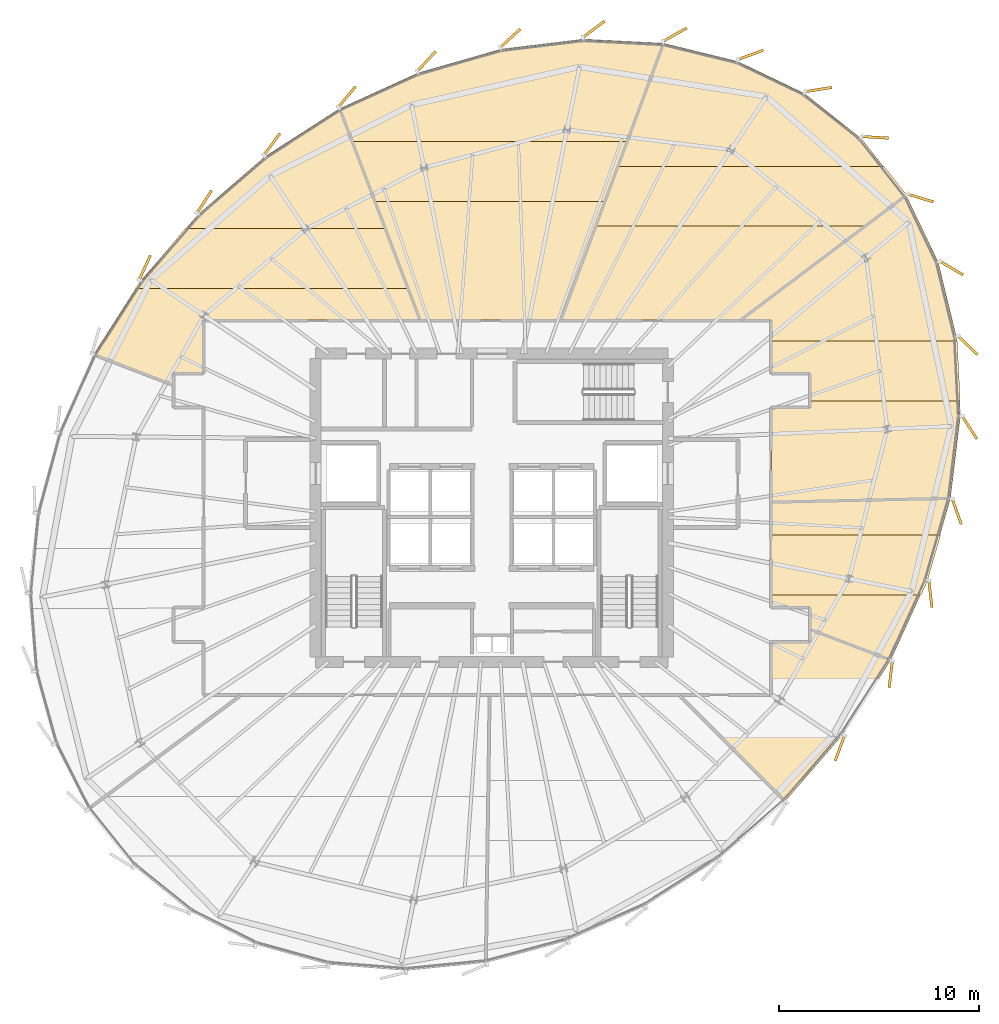
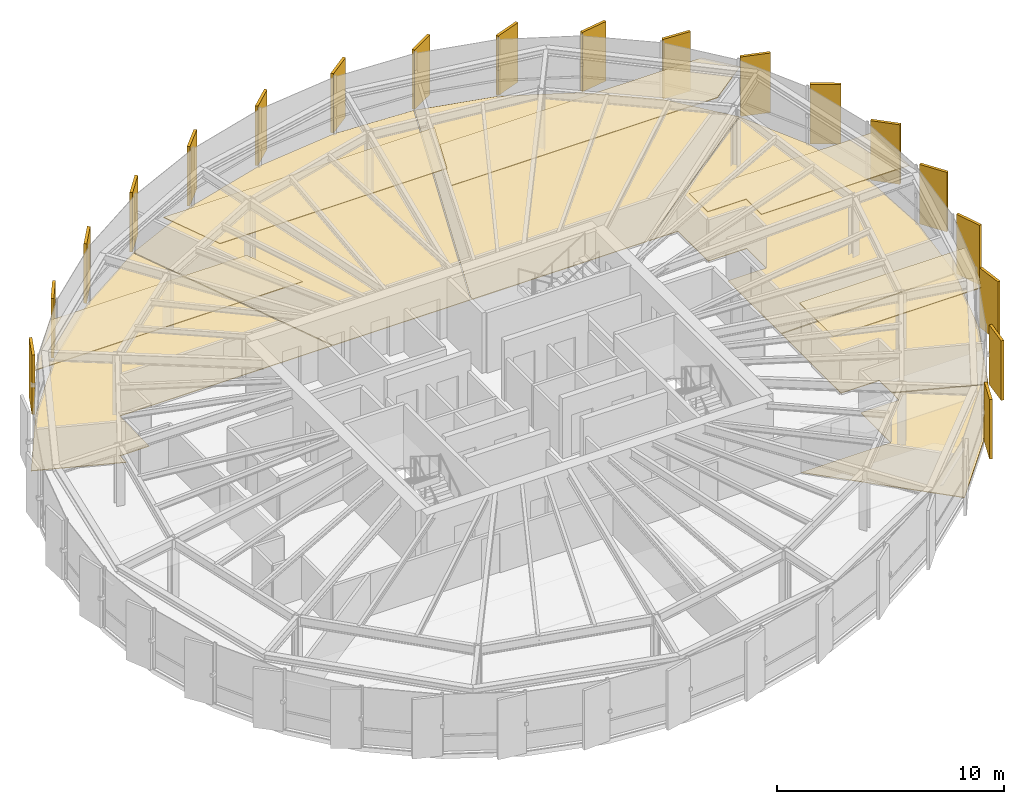
# One storey, part 34 of 34: 30 coverings.
"""IFC4 building model written with IfcOpenShell, lengths in metres."""

from ifc_helpers import new_model, si_unit, direction, frame, origin, origin_2d, place, context, subcontext, project, spatial, polyline, rectangle, outline, extrude, source, transform, mapped, material, layer, layer_set, type_object, element, save


model = new_model("IFC4")

# Units and contexts
model_context = context("Model", 3, precision=1e-05, world=origin(), true_north=direction((0.0, 1.0)))
body_context = subcontext(model_context, "Body", "Model", "MODEL_VIEW")
ifc_project = project(units=[si_unit("LENGTHUNIT", "METRE"), si_unit("AREAUNIT", "SQUARE_METRE"), si_unit("VOLUMEUNIT", "CUBIC_METRE"), si_unit("PLANEANGLEUNIT", "RADIAN"), si_unit("MASSUNIT", "GRAM", prefix="KILO"), si_unit("THERMODYNAMICTEMPERATUREUNIT", "KELVIN")], contexts=[model_context])

# Site, building, storey
site_placement = place(None, origin())
site = spatial("IfcSite", under=ifc_project, at=site_placement, CompositionType="ELEMENT")
building_placement = place(site_placement, origin())
building = spatial("IfcBuilding", under=site, at=building_placement, Name="Kethvar Cultural Tower", CompositionType="ELEMENT")
storey_placement = place(building_placement, frame((0.0, 0.0, 214.89990234375)))
storey = spatial("IfcBuildingStorey", under=building, at=storey_placement, Name="L56", CompositionType="ELEMENT", Elevation=214.89990234375)

# Coverings
ifc_material_1 = material(Name="Acoustic Mineral Fibre Ceiling")
ifc_layer_1 = layer(ifc_material_1, 0.0400390625, Name="Acoustic Mineral Fibre Ceiling")
ifc_layer_set_1 = layer_set([ifc_layer_1], Name="Acoustic Mineral Fibre Ceiling (40 mm)")
covering_type_1 = type_object("IfcCoveringType", Name="CV-ACOUSTIC-CEIL", PredefinedType="CEILING", material=ifc_layer_set_1)
covering_1_placement = place(storey_placement, frame((0.0, 0.0, 2.670166015625)))
element("IfcCovering", 1, at=covering_1_placement, inside=storey, type_object=covering_type_1, Name="L56 Room 04 Acoustic Ceiling Panel", PredefinedType="CEILING", context=body_context, shape_type="SweptSolid", body=[
    extrude(outline(polyline([(68.570556640625, 24.13623046875), (68.252685546875, 23.43798828125), (60.72998046875, 23.43798828125), (60.72998046875, 26.427978515625), (69.2265625, 26.427978515625), (68.570556640625, 24.13623046875)])), origin(), (0.0, 0.0, 1.0), 0.0400390625),
])
covering_2_placement = place(storey_placement, frame((0.0, 0.0, 2.670166015625)))
element("IfcCovering", 2, at=covering_2_placement, inside=storey, type_object=covering_type_1, Name="L56 Room 05 Acoustic Ceiling Panel", PredefinedType="CEILING", context=body_context, shape_type="SweptSolid", body=[
    extrude(outline(polyline([(70.209716796875, 33.136474609375), (62.679931640625, 33.136474609375), (62.679931640625, 34.47998046875), (60.7333984375, 34.489013671875), (60.72998046875, 36.12646484375), (70.058837890625, 36.12646484375), (70.209716796875, 33.136474609375)])), origin(), (0.0, 0.0, 1.0), 0.0400390625),
])
covering_3_placement = place(storey_placement, frame((0.0, 0.0, 2.670166015625)))
element("IfcCovering", 3, at=covering_3_placement, inside=storey, type_object=covering_type_1, Name="L56 Room 06 Acoustic Ceiling Panel", PredefinedType="CEILING", context=body_context, shape_type="SweptSolid", body=[
    extrude(outline(polyline([(67.530517578125, 43.4326171875), (65.486328125, 41.865478515625), (51.960693359375, 41.865478515625), (53.062255859375, 44.85546875), (66.401123046875, 44.85546875), (67.530517578125, 43.4326171875)])), origin(), (0.0, 0.0, 1.0), 0.0400390625),
])
covering_4_placement = place(storey_placement, frame((0.0, 0.0, 2.670166015625)))
element("IfcCovering", 4, at=covering_4_placement, inside=storey, type_object=covering_type_1, Name="L56 Room 07 Acoustic Ceiling Panel", PredefinedType="CEILING", context=body_context, shape_type="SweptSolid", body=[
    extrude(outline(polyline([(52.4609375, 43.10791015625), (40.92529296875, 43.10791015625), (39.781982421875, 46.097900390625), (53.5625, 46.097900390625), (52.4609375, 43.10791015625)])), origin(), (0.0, 0.0, 1.0), 0.0400390625),
])
covering_5_placement = place(storey_placement, frame((0.0, 0.0, 2.670166015625)))
element("IfcCovering", 5, at=covering_5_placement, inside=storey, type_object=covering_type_1, Name="L56 Room 08 Acoustic Ceiling Panel", PredefinedType="CEILING", context=body_context, shape_type="SweptSolid", body=[
    extrude(outline(polyline([(28.979736328125, 38.760986328125), (31.481201171875, 41.7509765625), (41.487060546875, 41.7509765625), (42.63037109375, 38.760986328125), (28.979736328125, 38.760986328125)])), origin(), (0.0, 0.0, 1.0), 0.0400390625),
])
ifc_material_2 = material(Name="Honed Warm Limestone", Category="masonry")
ifc_layer_2 = layer(ifc_material_2, 0.030029296875, Name="Honed Warm Limestone", Category="masonry")
ifc_layer_set_2 = layer_set([ifc_layer_2], Name="Honed Warm Limestone (30 mm)")
covering_type_2 = type_object("IfcCoveringType", Name="CV-STONE-FLOOR", PredefinedType="FLOORING", material=ifc_layer_set_2)
covering_6_placement = place(storey_placement, origin())
element("IfcCovering", 6, at=covering_6_placement, inside=storey, type_object=covering_type_2, Name="L56 Room 03 Floor Finish", PredefinedType="FLOORING", context=body_context, shape_type="SweptSolid", body=[
    extrude(outline(polyline([(64.34521484375, 16.4794921875), (61.46875, 13.15966796875), (56.1982421875, 18.429931640625), (60.759521484375, 18.432373046875), (60.77001953125, 21.080078125), (62.705810546875, 21.080810546875), (62.719970703125, 21.69140625), (66.714111328125, 20.1640625), (64.34521484375, 16.4794921875)])), origin(), (0.0, 0.0, 1.0), 0.030029296875),
])
covering_7_placement = place(storey_placement, origin())
element("IfcCovering", 7, at=covering_7_placement, inside=storey, type_object=covering_type_2, Name="L56 Room 04 Floor Finish", PredefinedType="FLOORING", context=body_context, shape_type="SweptSolid", body=[
    extrude(outline(polyline([(68.532958984375, 24.14990234375), (66.73388671875, 20.199462890625), (62.719970703125, 21.734130859375), (62.70947265625, 22.817626953125), (60.77001953125, 22.820068359375), (60.77001953125, 28.0556640625), (69.700927734375, 28.231689453125), (68.532958984375, 24.14990234375)])), origin(), (0.0, 0.0, 1.0), 0.030029296875),
])
covering_8_placement = place(storey_placement, origin())
element("IfcCovering", 8, at=covering_8_placement, inside=storey, type_object=covering_type_2, Name="L56 Room 05 Floor Finish", PredefinedType="FLOORING", context=body_context, shape_type="SweptSolid", body=[
    extrude(outline(polyline([(69.098388671875, 40.07568359375), (70.007080078125, 36.3544921875), (70.208251953125, 32.3701171875), (69.7099609375, 28.27197265625), (60.77001953125, 28.095703125), (60.77001953125, 32.780029296875), (62.712646484375, 32.784423828125), (62.719482421875, 34.50390625), (60.77001953125, 34.52001953125), (60.767578125, 37.159423828125), (59.25927734375, 37.169921875), (67.50732421875, 43.389404296875), (69.098388671875, 40.07568359375)])), origin(), (0.0, 0.0, 1.0), 0.030029296875),
])
covering_9_placement = place(storey_placement, origin())
element("IfcCovering", 9, at=covering_9_placement, inside=storey, type_object=covering_type_2, Name="L56 Room 06 Floor Finish", PredefinedType="FLOORING", context=body_context, shape_type="SweptSolid", body=[
    extrude(outline(polyline([(59.07568359375, 50.098388671875), (62.409423828125, 48.497802734375), (65.246337890625, 46.246337890625), (67.486328125, 43.423583984375), (59.19287109375, 37.169921875), (50.2734375, 37.169921875), (55.369873046875, 51.00341796875), (59.07568359375, 50.098388671875)])), origin(), (0.0, 0.0, 1.0), 0.030029296875),
])
covering_10_placement = place(storey_placement, origin())
element("IfcCovering", 10, at=covering_10_placement, inside=storey, type_object=covering_type_2, Name="L56 Room 07 Floor Finish", PredefinedType="FLOORING", context=body_context, shape_type="SweptSolid", body=[
    extrude(outline(polyline([(43.14990234375, 49.532958984375), (47.25634765625, 50.7080078125), (51.3701171875, 51.208251953125), (55.3291015625, 51.008544921875), (50.230712890625, 37.169921875), (43.23876953125, 37.169921875), (39.199462890625, 47.73388671875), (43.14990234375, 49.532958984375)])), origin(), (0.0, 0.0, 1.0), 0.030029296875),
])
covering_11_placement = place(storey_placement, origin())
element("IfcCovering", 11, at=covering_11_placement, inside=storey, type_object=covering_type_2, Name="L56 Room 08 Floor Finish", PredefinedType="FLOORING", context=body_context, shape_type="SweptSolid", body=[
    extrude(outline(polyline([(29.26171875, 39.12744140625), (32.14453125, 42.45556640625), (35.4794921875, 45.34521484375), (39.1640625, 47.714111328125), (43.19580078125, 37.169921875), (32.394287109375, 37.169189453125), (32.3798828125, 34.52001953125), (30.892333984375, 34.5185546875), (30.8798828125, 33.951416015625), (26.924560546875, 35.474609375), (29.26171875, 39.12744140625)])), origin(), (0.0, 0.0, 1.0), 0.030029296875),
])
ifc_material_3 = material(Name="Extruded Architectural Terracotta", Category="masonry")
ifc_layer_3 = layer(ifc_material_3, 0.135009765625, Name="Extruded Architectural Terracotta", Category="masonry")
ifc_layer_set_3 = layer_set([ifc_layer_3], Name="Extruded Architectural Terracotta (135 mm)")
covering_type_3 = type_object("IfcCoveringType", Name="Terracotta Facade Fin FIN-03", PredefinedType="CLADDING", material=ifc_layer_set_3)
shared_shape = source(origin(), body_context, "Body", "SweptSolid", [
    extrude(rectangle(XDim=1.35009765625, YDim=0.135009765625, at=origin_2d()), origin(), (0.0, 0.0, 1.0), 3.199951171875),
])
for number, where, z_axis, x_axis, name in (
    (12, (65.95361328125, 46.30810546875, 0.02001953125), (0.0, 0.0, 1.0), (0.99829120239, -0.058435222518, 0.0), "L56 Vertical Terracotta Fin 1.1"),
    (13, (63.12109375, 48.694091796875, 0.02001953125), (0.0, 0.0, 1.0), (0.987303150973, 0.158847373537, 0.0), "L56 Vertical Terracotta Fin 1.2"),
    (14, (59.735107421875, 50.42724609375, 0.02001953125), (0.0, 0.0, 1.0), (0.938854103536, 0.344315222252, 0.0), "L56 Vertical Terracotta Fin 1.3"),
    (15, (55.94970703125, 51.43798828125, 0.02001953125), (0.0, 0.0, 1.0), (0.871470728289, 0.490447519859, 0.0), "L56 Vertical Terracotta Fin 1.4"),
    (16, (51.900146484375, 51.712158203125, 0.02001953125), (0.0, 0.0, 1.0), (0.800731370949, 0.599023598516, 0.0), "L56 Vertical Terracotta Fin 1.5"),
    (17, (47.727294921875, 51.261474609375, 0.02001953125), (0.0, 0.0, 1.0), (0.736215213051, 0.676747486196, 0.0), "L56 Vertical Terracotta Fin 1.6"),
    (18, (43.53515625, 50.101806640625, 0.02001953125), (0.0, 0.0, 1.0), (0.6826363268, 0.730758267372, 0.0), "L56 Vertical Terracotta Fin 2.1"),
    (19, (39.560791015625, 48.331787109375, 0.02001953125), (0.0, 0.0, 1.0), (0.63715499106, 0.770735698776, 0.0), "L56 Vertical Terracotta Fin 2.2"),
    (20, (35.8173828125, 45.964111328125, 0.02001953125), (0.0, 0.0, 1.0), (0.595664257385, 0.803233523002, 0.0), "L56 Vertical Terracotta Fin 2.3"),
    (21, (32.436279296875, 43.0888671875, 0.02001953125), (0.0, 0.0, 1.0), (0.543174449951, 0.839619864534, 0.0), "L56 Vertical Terracotta Fin 2.4"),
    (22, (29.45947265625, 39.79638671875, 0.02001953125), (0.0, 0.0, 1.0), (0.416439477557, 0.909163440495, 0.0), "L56 Vertical Terracotta Fin 2.5"),
    (23, (64.1953125, 15.791015625, 0.02001953125), (0.0, 0.0, 1.0), (-0.34562577382, -0.938372433776, 0.0), "L56 Vertical Terracotta Fin 5.5"),
    (24, (66.73681640625, 19.470703125, 0.02001953125), (0.0, 0.0, 1.0), (-0.118750571435, -0.992924116831, 0.0), "L56 Vertical Terracotta Fin 5.6"),
    (25, (68.716552734375, 23.488037109375, 0.02001953125), (0.0, 0.0, 1.0), (0.114243617521, -0.993452764783, 0.0), "L56 Vertical Terracotta Fin 6.1"),
    (26, (70.0341796875, 27.607177734375, 0.02001953125), (0.0, 0.0, 1.0), (0.336602259413, -0.941646918414, 0.0), "L56 Vertical Terracotta Fin 6.2"),
    (27, (70.673095703125, 31.8056640625, 0.02001953125), (0.0, 0.0, 1.0), (0.54082767413, -0.841133418011, 0.0), "L56 Vertical Terracotta Fin 6.3"),
    (28, (70.590087890625, 35.906982421875, 0.02001953125), (0.0, 0.0, 1.0), (0.718975979477, -0.695034920658, 0.0), "L56 Vertical Terracotta Fin 6.4"),
    (29, (69.77099609375, 39.7744140625, 0.02001953125), (0.0, 0.0, 1.0), (0.861629160442, -0.507538362961, 0.0), "L56 Vertical Terracotta Fin 6.5"),
    (30, (68.2236328125, 43.27490234375, 0.02001953125), (0.0, 0.0, 1.0), (0.957420330337, -0.288697611798, 0.0), "L56 Vertical Terracotta Fin 6.6"),
):
    element("IfcCovering", number, at=place(storey_placement, frame(where, z_axis=z_axis, x_axis=x_axis)), inside=storey, type_object=covering_type_3, Name=name, PredefinedType="CLADDING", context=body_context, shape_type="MappedRepresentation", body=[
        mapped(shared_shape, transform((0.0, 0.0, 0.0), scale=1.0)),
    ])

save(model, "model.ifc")
